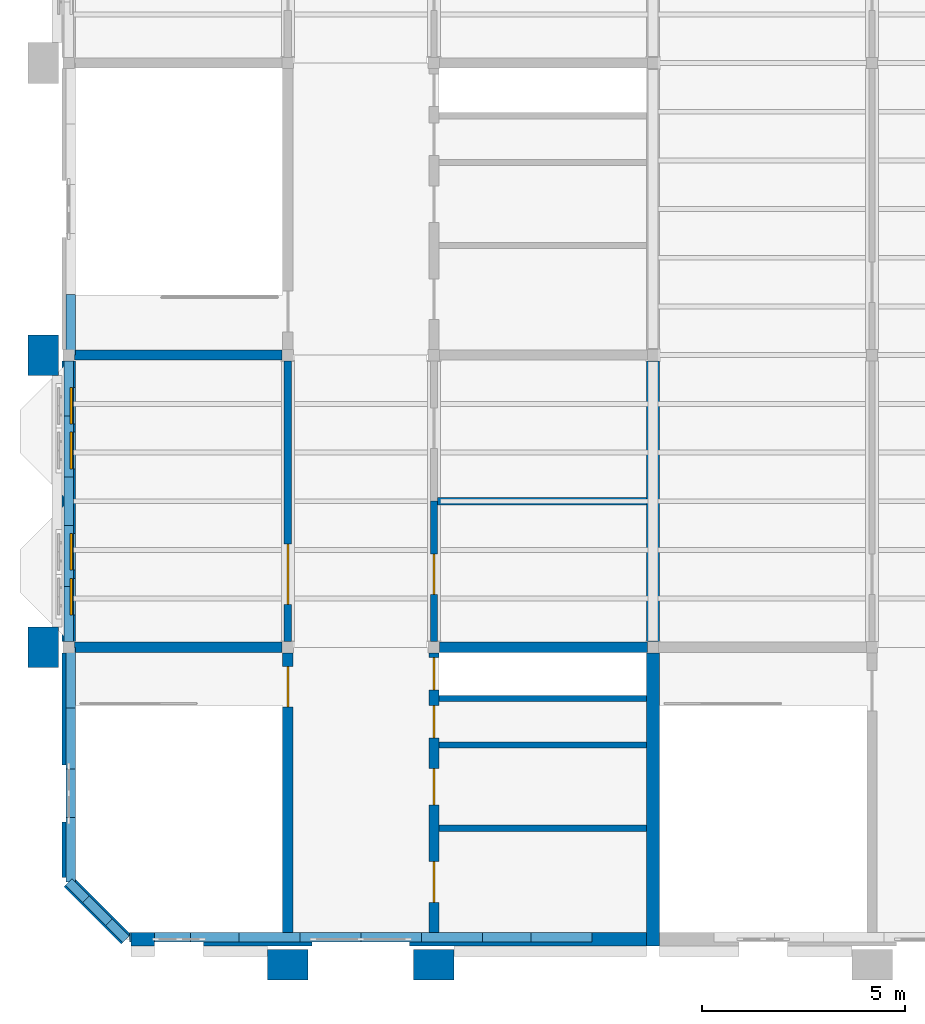
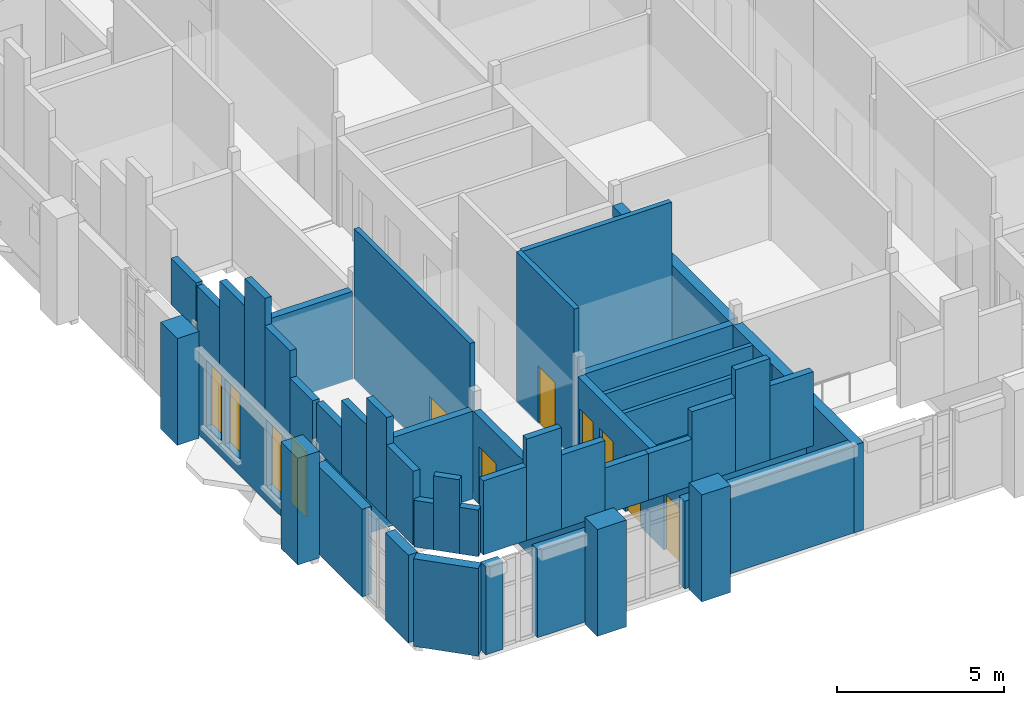
# One storey, part 32 of 51: 45 walls, 7 doors, 4 windows, 11 openings.
"""IFC4 building model written with IfcOpenShell, lengths in metres."""

from ifc_helpers import new_model, si_unit, direction, frame, frame_2d, origin, place, context, subcontext, project, spatial, rectangle, extrude, material, layer, layer_set, type_object, element, fill, save


model = new_model("IFC4")

# Units and contexts
model_context = context("Model", 3, precision=1e-05, world=origin(), true_north=direction((0.0, 1.0)))
body_context = subcontext(model_context, "Body", "Model", "MODEL_VIEW")
ifc_project = project(units=[si_unit("LENGTHUNIT", "METRE"), si_unit("AREAUNIT", "SQUARE_METRE"), si_unit("VOLUMEUNIT", "CUBIC_METRE"), si_unit("PLANEANGLEUNIT", "RADIAN"), si_unit("MASSUNIT", "GRAM", prefix="KILO")], contexts=[model_context])

# Site, building, storey
site_placement = place(None, origin())
site = spatial("IfcSite", under=ifc_project, at=site_placement, CompositionType="ELEMENT")
building_placement = place(site_placement, origin())
building = spatial("IfcBuilding", under=site, at=building_placement, Name="Mazhai Court Health Centre", CompositionType="ELEMENT")
storey_placement = place(building_placement, frame((0.0, 0.0, 14.10009765625)))
storey = spatial("IfcBuildingStorey", under=building, at=storey_placement, Name="L03", CompositionType="ELEMENT", Elevation=14.10009765625)

# Walls
ifc_material_1 = material(Name="Clay brick masonry", Category="masonry")
ifc_layer_1 = layer(ifc_material_1, 0.22998046875)
ifc_layer_set_1 = layer_set([ifc_layer_1], Name="BRICK PARAPET 230")
wall_type_1 = type_object("IfcWallType", Name="BRICK PARAPET 230", PredefinedType="SOLIDWALL", material=ifc_layer_set_1)
wall_1_placement = place(storey_placement, frame((6.25, 7.614013671875, 3.599853515625), z_axis=(0.0, 0.0, 1.0), x_axis=(0.0, 1.0, 0.0)))
element("IfcWall", 1, at=wall_1_placement, inside=storey, type_object=wall_type_1, Name="PR-V2-A2", PredefinedType="SOLIDWALL", context=body_context, shape_type="SweptSolid", body=[
    extrude(rectangle(XDim=1.5859375, YDim=0.22998046875, at=frame_2d((0.79296875, 0.0))), origin(), (0.0, 0.0, 1.0), 2.699951171875),
])
wall_2_placement = place(storey_placement, frame((6.25, 9.199951171875, 3.599853515625), z_axis=(0.0, 0.0, 1.0), x_axis=(0.0, 1.0, 0.0)))
element("IfcWall", 2, at=wall_2_placement, inside=storey, type_object=wall_type_1, Name="PR-V2-A3", PredefinedType="SOLIDWALL", context=body_context, shape_type="SweptSolid", body=[
    extrude(rectangle(XDim=1.199951171875, YDim=0.22998046875, at=frame_2d((0.60009765625, 0.0))), origin(), (0.0, 0.0, 1.0), 3.699951171875),
])
wall_3_placement = place(storey_placement, frame((6.25, 10.39990234375, 3.599853515625), z_axis=(0.0, 0.0, 1.0), x_axis=(0.0, 1.0, 0.0)))
element("IfcWall", 3, at=wall_3_placement, inside=storey, type_object=wall_type_1, Name="PR-V2-A4", PredefinedType="SOLIDWALL", context=body_context, shape_type="SweptSolid", body=[
    extrude(rectangle(XDim=1.5, YDim=0.22998046875, at=frame_2d((0.75, 0.0))), origin(), (0.0, 0.0, 1.0), 2.699951171875),
])
for number, where, z_axis, x_axis, name in (
    (4, (6.25, 11.89990234375, 3.599853515625), (0.0, 0.0, 1.0), (0.0, 1.0, 0.0), "PR-V2-A5"),
    (5, (6.25, 20.60009765625, 3.599853515625), (0.0, 0.0, 1.0), (0.0, 1.0, 0.0), "PR-V2-A11"),
):
    element("IfcWall", number, at=place(storey_placement, frame(where, z_axis=z_axis, x_axis=x_axis)), inside=storey, type_object=wall_type_1, Name=name, PredefinedType="SOLIDWALL", context=body_context, shape_type="SweptSolid", body=[
        extrude(rectangle(XDim=1.5, YDim=0.22998046875, at=frame_2d((0.75, 0.0))), origin(), (0.0, 0.0, 1.0), 1.699951171875),
    ])
wall_4_placement = place(storey_placement, frame((9.199951171875, 6.25, 3.599853515625), z_axis=(0.0, 0.0, 1.0), x_axis=(-1.0, 0.0, 0.0)))
element("IfcWall", 6, at=wall_4_placement, inside=storey, type_object=wall_type_1, Name="PR-V2-S2", PredefinedType="SOLIDWALL", context=body_context, shape_type="SweptSolid", body=[
    extrude(rectangle(XDim=1.5, YDim=0.22998046875, at=frame_2d((0.75, 0.0))), origin(), (0.0, 0.0, 1.0), 2.699951171875),
])
wall_5_placement = place(storey_placement, frame((10.39990234375, 6.25, 3.599853515625), z_axis=(0.0, 0.0, 1.0), x_axis=(-1.0, 0.0, 0.0)))
element("IfcWall", 7, at=wall_5_placement, inside=storey, type_object=wall_type_1, Name="PR-V2-S3", PredefinedType="SOLIDWALL", context=body_context, shape_type="SweptSolid", body=[
    extrude(rectangle(XDim=1.199951171875, YDim=0.22998046875, at=frame_2d((0.60009765625, 0.0))), origin(), (0.0, 0.0, 1.0), 3.699951171875),
])
wall_6_placement = place(storey_placement, frame((11.89990234375, 6.25, 3.599853515625), z_axis=(0.0, 0.0, 1.0), x_axis=(-1.0, 0.0, 0.0)))
element("IfcWall", 8, at=wall_6_placement, inside=storey, type_object=wall_type_1, Name="PR-V2-S4", PredefinedType="SOLIDWALL", context=body_context, shape_type="SweptSolid", body=[
    extrude(rectangle(XDim=1.5, YDim=0.22998046875, at=frame_2d((0.75, 0.0))), origin(), (0.0, 0.0, 1.0), 2.699951171875),
])
for number, where, z_axis, x_axis, name in (
    (9, (13.39990234375, 6.25, 3.599853515625), (0.0, 0.0, 1.0), (-1.0, 0.0, 0.0), "PR-V2-S5"),
    (10, (14.89990234375, 6.25, 3.599853515625), (0.0, 0.0, 1.0), (-1.0, 0.0, 0.0), "PR-V2-S6"),
):
    element("IfcWall", number, at=place(storey_placement, frame(where, z_axis=z_axis, x_axis=x_axis)), inside=storey, type_object=wall_type_1, Name=name, PredefinedType="SOLIDWALL", context=body_context, shape_type="SweptSolid", body=[
        extrude(rectangle(XDim=1.5, YDim=0.22998046875, at=frame_2d((0.75, 0.0))), origin(), (0.0, 0.0, 1.0), 1.699951171875),
    ])
wall_7_placement = place(storey_placement, frame((16.39990234375, 6.25, 3.599853515625), z_axis=(0.0, 0.0, 1.0), x_axis=(-1.0, 0.0, 0.0)))
element("IfcWall", 11, at=wall_7_placement, inside=storey, type_object=wall_type_1, Name="PR-V2-S7", PredefinedType="SOLIDWALL", context=body_context, shape_type="SweptSolid", body=[
    extrude(rectangle(XDim=1.5, YDim=0.22998046875, at=frame_2d((0.75, 0.0))), origin(), (0.0, 0.0, 1.0), 2.699951171875),
])
wall_8_placement = place(storey_placement, frame((17.60009765625, 6.25, 3.599853515625), z_axis=(0.0, 0.0, 1.0), x_axis=(-1.0, 0.0, 0.0)))
element("IfcWall", 12, at=wall_8_placement, inside=storey, type_object=wall_type_1, Name="PR-V2-S8", PredefinedType="SOLIDWALL", context=body_context, shape_type="SweptSolid", body=[
    extrude(rectangle(XDim=1.2001953125, YDim=0.22998046875, at=frame_2d((0.60009765625, 0.0))), origin(), (0.0, 0.0, 1.0), 3.699951171875),
])
wall_9_placement = place(storey_placement, frame((19.10009765625, 6.25, 3.599853515625), z_axis=(0.0, 0.0, 1.0), x_axis=(-1.0, 0.0, 0.0)))
element("IfcWall", 13, at=wall_9_placement, inside=storey, type_object=wall_type_1, Name="PR-V2-S9", PredefinedType="SOLIDWALL", context=body_context, shape_type="SweptSolid", body=[
    extrude(rectangle(XDim=1.5, YDim=0.22998046875, at=frame_2d((0.75, 0.0))), origin(), (0.0, 0.0, 1.0), 2.699951171875),
])
wall_10_placement = place(storey_placement, frame((6.199951171875, 7.614013671875, 3.599853515625), z_axis=(0.0, 0.0, 1.0), x_axis=(0.707106781187, -0.707106781187, 0.0)))
element("IfcWall", 14, at=wall_10_placement, inside=storey, type_object=wall_type_1, Name="PR-V2-CHA0", PredefinedType="SOLIDWALL", context=body_context, shape_type="SweptSolid", body=[
    extrude(rectangle(XDim=0.599609375, YDim=0.22998046875, at=frame_2d((0.2998046875, 0.0))), origin(), (0.0, 0.0, 1.0), 1.699951171875),
])
wall_11_placement = place(storey_placement, frame((6.6240234375, 7.18994140625, 3.599853515625), z_axis=(0.0, 0.0, 1.0), x_axis=(0.707106781187, -0.707106781187, 0.0)))
element("IfcWall", 15, at=wall_11_placement, inside=storey, type_object=wall_type_1, Name="PR-V2-CHA1", PredefinedType="SOLIDWALL", context=body_context, shape_type="SweptSolid", body=[
    extrude(rectangle(XDim=0.80029296875, YDim=0.22998046875, at=frame_2d((0.400146484375, 0.0))), origin(), (0.0, 0.0, 1.0), 2.699951171875),
])
wall_12_placement = place(storey_placement, frame((7.18994140625, 6.6240234375, 3.599853515625), z_axis=(0.0, 0.0, 1.0), x_axis=(0.707106781187, -0.707106781187, 0.0)))
element("IfcWall", 16, at=wall_12_placement, inside=storey, type_object=wall_type_1, Name="PR-V2-CHA2", PredefinedType="SOLIDWALL", context=body_context, shape_type="SweptSolid", body=[
    extrude(rectangle(XDim=0.599609375, YDim=0.22998046875, at=frame_2d((0.2998046875, 0.0))), origin(), (0.0, 0.0, 1.0), 1.699951171875),
])
wall_13_placement = place(storey_placement, frame((6.199951171875, 13.5400390625, 3.199951171875), z_axis=(0.0, 0.0, 1.0), x_axis=(0.0, 1.0, 0.0)))
element("IfcWall", 17, at=wall_13_placement, inside=storey, type_object=wall_type_1, Name="PR-V2-A6", PredefinedType="SOLIDWALL", context=body_context, shape_type="SweptSolid", body=[
    extrude(rectangle(XDim=1.35986328125, YDim=0.22998046875, at=frame_2d((0.679931640625, 0.0))), origin(), (0.0, 0.0, 1.0), 2.099853515625),
])
wall_14_placement = place(storey_placement, frame((6.199951171875, 14.89990234375, 3.199951171875), z_axis=(0.0, 0.0, 1.0), x_axis=(0.0, 1.0, 0.0)))
element("IfcWall", 18, at=wall_14_placement, inside=storey, type_object=wall_type_1, Name="PR-V2-A7", PredefinedType="SOLIDWALL", context=body_context, shape_type="SweptSolid", body=[
    extrude(rectangle(XDim=1.5, YDim=0.22998046875, at=frame_2d((0.75, 0.0))), origin(), (0.0, 0.0, 1.0), 3.099853515625),
])
wall_15_placement = place(storey_placement, frame((6.199951171875, 16.39990234375, 3.199951171875), z_axis=(0.0, 0.0, 1.0), x_axis=(0.0, 1.0, 0.0)))
element("IfcWall", 19, at=wall_15_placement, inside=storey, type_object=wall_type_1, Name="PR-V2-A8", PredefinedType="SOLIDWALL", context=body_context, shape_type="SweptSolid", body=[
    extrude(rectangle(XDim=1.2001953125, YDim=0.22998046875, at=frame_2d((0.60009765625, 0.0))), origin(), (0.0, 0.0, 1.0), 4.099853515625),
])
wall_16_placement = place(storey_placement, frame((6.199951171875, 17.60009765625, 3.199951171875), z_axis=(0.0, 0.0, 1.0), x_axis=(0.0, 1.0, 0.0)))
element("IfcWall", 20, at=wall_16_placement, inside=storey, type_object=wall_type_1, Name="PR-V2-A9", PredefinedType="SOLIDWALL", context=body_context, shape_type="SweptSolid", body=[
    extrude(rectangle(XDim=1.5, YDim=0.22998046875, at=frame_2d((0.75, 0.0))), origin(), (0.0, 0.0, 1.0), 3.099853515625),
])
wall_17_placement = place(storey_placement, frame((6.199951171875, 19.10009765625, 3.199951171875), z_axis=(0.0, 0.0, 1.0), x_axis=(0.0, 1.0, 0.0)))
element("IfcWall", 21, at=wall_17_placement, inside=storey, type_object=wall_type_1, Name="PR-V2-A10", PredefinedType="SOLIDWALL", context=body_context, shape_type="SweptSolid", body=[
    extrude(rectangle(XDim=1.35986328125, YDim=0.22998046875, at=frame_2d((0.679931640625, 0.0))), origin(), (0.0, 0.0, 1.0), 2.099853515625),
])
ifc_material_2 = material(Name="Clay brick masonry", Category="masonry")
ifc_layer_2 = layer(ifc_material_2, 0.75)
ifc_layer_set_2 = layer_set([ifc_layer_2], Name="BRICK PIER 750")
wall_type_2 = type_object("IfcWallType", Name="BRICK PIER 750", PredefinedType="SOLIDWALL", material=ifc_layer_set_2)
for number, where, z_axis, x_axis, name in (
    (22, (5.574951171875, 12.89990234375, 0.0), (0.0, 0.0, 1.0), (0.0, 1.0, 0.0), "EP-V2-L03-A1"),
    (23, (5.574951171875, 20.10009765625, 0.0), (0.0, 0.0, 1.0), (0.0, 1.0, 0.0), "EP-V2-L03-A2"),
    (24, (12.10009765625, 5.574951171875, 0.0), (0.0, 0.0, 1.0), (-1.0, 0.0, 0.0), "EP-V2-L03-S54"),
    (25, (15.699951171875, 5.574951171875, 0.0), (0.0, 0.0, 1.0), (-1.0, 0.0, 0.0), "EP-V2-L03-S90"),
):
    element("IfcWall", number, at=place(storey_placement, frame(where, z_axis=z_axis, x_axis=x_axis)), inside=storey, type_object=wall_type_2, Name=name, PredefinedType="SOLIDWALL", context=body_context, shape_type="SweptSolid", body=[
        extrude(rectangle(XDim=1.0, YDim=0.75, at=frame_2d((0.5, 0.0))), origin(), (0.0, 0.0, 1.0), 3.89990234375),
    ])
ifc_material_3 = material(Name="Clay brick masonry", Category="masonry")
ifc_layer_3 = layer(ifc_material_3, 0.330078125)
ifc_layer_set_3 = layer_set([ifc_layer_3], Name="BRICK WALL 330 EXTERNAL")
wall_type_3 = type_object("IfcWallType", Name="BRICK WALL 330 EXTERNAL", PredefinedType="SOLIDWALL", material=ifc_layer_set_3)
wall_18_placement = place(storey_placement, frame((6.199951171875, 7.73095703125, 0.0), z_axis=(0.0, 0.0, 1.0), x_axis=(0.0, 1.0, 0.0)))
element("IfcWall", 26, at=wall_18_placement, inside=storey, type_object=wall_type_3, Name="EW-V2-L03-A0a", PredefinedType="SOLIDWALL", context=body_context, shape_type="SweptSolid", body=[
    extrude(rectangle(XDim=1.369140625, YDim=0.330078125, at=frame_2d((0.6845703125, 0.0))), origin(), (0.0, 0.0, 1.0), 3.199951171875),
])
wall_19_placement = place(storey_placement, frame((6.199951171875, 10.5, 0.0), z_axis=(0.0, 0.0, 1.0), x_axis=(0.0, 1.0, 0.0)))
element("IfcWall", 27, at=wall_19_placement, inside=storey, type_object=wall_type_3, Name="EW-V2-L03-A0b", PredefinedType="SOLIDWALL", context=body_context, shape_type="SweptSolid", body=[
    extrude(rectangle(XDim=2.760009765625, YDim=0.330078125, at=frame_2d((1.3798828125, 0.0))), origin(), (0.0, 0.0, 1.0), 3.199951171875),
])

# Wall, openings, windows
wall_20_placement = place(storey_placement, frame((6.199951171875, 13.5400390625, 0.0), z_axis=(0.0, 0.0, 1.0), x_axis=(0.0, 1.0, 0.0)))
wall_20 = element("IfcWall", 28, at=wall_20_placement, inside=storey, type_object=wall_type_3, Name="EW-V2-L03-A1p0", PredefinedType="SOLIDWALL", context=body_context, shape_type="SweptSolid", body=[
    extrude(rectangle(XDim=6.919921875, YDim=0.330078125, at=frame_2d((3.4599609375, 0.0))), origin(), (0.0, 0.0, 1.0), 3.199951171875),
])
opening_1_placement = place(wall_20_placement, frame((0.659912109375, 0.0, 0.60009765625)))
opening_1 = element("IfcOpeningElement", 29, at=opening_1_placement, cuts=wall_20, Name="Opening W14", PredefinedType="OPENING", context=body_context, shape_type="SweptSolid", body=[
    extrude(rectangle(XDim=0.89990234375, YDim=2.39990234375, at=frame_2d((0.449951171875, 1.199951171875))), frame((0.0, 0.175048828125, 0.0), z_axis=(0.0, -1.0, 0.0), x_axis=(1.0, 0.0, 0.0)), (0.0, 0.0, 1.0), 0.35009765625),
])
opening_2_placement = place(wall_20_placement, frame((1.760009765625, 0.0, 0.60009765625)))
opening_2 = element("IfcOpeningElement", 30, at=opening_2_placement, cuts=wall_20, Name="Opening W14", PredefinedType="OPENING", context=body_context, shape_type="SweptSolid", body=[
    extrude(rectangle(XDim=0.89990234375, YDim=2.39990234375, at=frame_2d((0.449951171875, 1.199951171875))), frame((0.0, 0.175048828125, 0.0), z_axis=(0.0, -1.0, 0.0), x_axis=(1.0, 0.0, 0.0)), (0.0, 0.0, 1.0), 0.35009765625),
])
opening_3_placement = place(wall_20_placement, frame((4.260009765625, 0.0, 0.60009765625)))
opening_3 = element("IfcOpeningElement", 31, at=opening_3_placement, cuts=wall_20, Name="Opening W14", PredefinedType="OPENING", context=body_context, shape_type="SweptSolid", body=[
    extrude(rectangle(XDim=0.89990234375, YDim=2.39990234375, at=frame_2d((0.449951171875, 1.199951171875))), frame((0.0, 0.175048828125, 0.0), z_axis=(0.0, -1.0, 0.0), x_axis=(1.0, 0.0, 0.0)), (0.0, 0.0, 1.0), 0.35009765625),
])
opening_4_placement = place(wall_20_placement, frame((5.360107421875, 0.0, 0.60009765625)))
opening_4 = element("IfcOpeningElement", 32, at=opening_4_placement, cuts=wall_20, Name="Opening W14", PredefinedType="OPENING", context=body_context, shape_type="SweptSolid", body=[
    extrude(rectangle(XDim=0.89990234375, YDim=2.39990234375, at=frame_2d((0.449951171875, 1.199951171875))), frame((0.0, 0.175048828125, 0.0), z_axis=(0.0, -1.0, 0.0), x_axis=(1.0, 0.0, 0.0)), (0.0, 0.0, 1.0), 0.35009765625),
])
ifc_material_4 = material(Name="Teak timber frame, glazed", Category="wood")
window_type = type_object("IfcWindowType", Name="WINDOW TALL PAIRED 900x2400", PartitioningType="SINGLE_PANEL", PredefinedType="WINDOW", material=ifc_material_4)
window_1_placement = place(opening_1_placement, origin())
window_1 = element("IfcWindow", 33, at=window_1_placement, inside=storey, type_object=window_type, Name="W14 WN-V2-L03-A10a", OverallHeight=2.39990234375, OverallWidth=0.89990234375, PartitioningType="SINGLE_PANEL", PredefinedType="WINDOW", context=body_context, shape_type="SweptSolid", body=[
    extrude(rectangle(XDim=0.89990234375, YDim=2.39990234375, at=frame_2d((0.449951171875, 1.199951171875))), frame((0.0, -0.030029296875, 0.0), z_axis=(0.0, -1.0, 0.0), x_axis=(1.0, 0.0, 0.0)), (0.0, 0.0, 1.0), 0.06005859375),
])
fill(opening_1, window_1)
window_2_placement = place(opening_2_placement, origin())
window_2 = element("IfcWindow", 34, at=window_2_placement, inside=storey, type_object=window_type, Name="W14 WN-V2-L03-A10b", OverallHeight=2.39990234375, OverallWidth=0.89990234375, PartitioningType="SINGLE_PANEL", PredefinedType="WINDOW", context=body_context, shape_type="SweptSolid", body=[
    extrude(rectangle(XDim=0.89990234375, YDim=2.39990234375, at=frame_2d((0.449951171875, 1.199951171875))), frame((0.0, -0.030029296875, 0.0), z_axis=(0.0, -1.0, 0.0), x_axis=(1.0, 0.0, 0.0)), (0.0, 0.0, 1.0), 0.06005859375),
])
fill(opening_2, window_2)
window_3_placement = place(opening_3_placement, origin())
window_3 = element("IfcWindow", 35, at=window_3_placement, inside=storey, type_object=window_type, Name="W14 WN-V2-L03-A11a", OverallHeight=2.39990234375, OverallWidth=0.89990234375, PartitioningType="SINGLE_PANEL", PredefinedType="WINDOW", context=body_context, shape_type="SweptSolid", body=[
    extrude(rectangle(XDim=0.89990234375, YDim=2.39990234375, at=frame_2d((0.449951171875, 1.199951171875))), frame((0.0, -0.030029296875, 0.0), z_axis=(0.0, -1.0, 0.0), x_axis=(1.0, 0.0, 0.0)), (0.0, 0.0, 1.0), 0.06005859375),
])
fill(opening_3, window_3)
window_4_placement = place(opening_4_placement, origin())
window_4 = element("IfcWindow", 36, at=window_4_placement, inside=storey, type_object=window_type, Name="W14 WN-V2-L03-A11b", OverallHeight=2.39990234375, OverallWidth=0.89990234375, PartitioningType="SINGLE_PANEL", PredefinedType="WINDOW", context=body_context, shape_type="SweptSolid", body=[
    extrude(rectangle(XDim=0.89990234375, YDim=2.39990234375, at=frame_2d((0.449951171875, 1.199951171875))), frame((0.0, -0.030029296875, 0.0), z_axis=(0.0, -1.0, 0.0), x_axis=(1.0, 0.0, 0.0)), (0.0, 0.0, 1.0), 0.06005859375),
])
fill(opening_4, window_4)

# Walls
wall_21_placement = place(storey_placement, frame((8.320068359375, 6.199951171875, 0.0), z_axis=(0.0, 0.0, 1.0), x_axis=(-1.0, 0.0, 0.0)))
element("IfcWall", 37, at=wall_21_placement, inside=storey, type_object=wall_type_3, Name="EW-V2-L03-Sp0", PredefinedType="SOLIDWALL", context=body_context, shape_type="SweptSolid", body=[
    extrude(rectangle(XDim=0.589111328125, YDim=0.330078125, at=frame_2d((0.29443359375, 0.0))), origin(), (0.0, 0.0, 1.0), 3.199951171875),
])
wall_22_placement = place(storey_placement, frame((12.199951171875, 6.199951171875, 0.0), z_axis=(0.0, 0.0, 1.0), x_axis=(-1.0, 0.0, 0.0)))
element("IfcWall", 38, at=wall_22_placement, inside=storey, type_object=wall_type_3, Name="EW-V2-L03-Sp1", PredefinedType="SOLIDWALL", context=body_context, shape_type="SweptSolid", body=[
    extrude(rectangle(XDim=2.679931640625, YDim=0.330078125, at=frame_2d((1.33984375, 0.0))), origin(), (0.0, 0.0, 1.0), 3.199951171875),
])
wall_23_placement = place(storey_placement, frame((20.43505859375, 6.199951171875, 0.0), z_axis=(0.0, 0.0, 1.0), x_axis=(-1.0, 0.0, 0.0)))
element("IfcWall", 39, at=wall_23_placement, inside=storey, type_object=wall_type_3, Name="EW-V2-L03-Sp2", PredefinedType="SOLIDWALL", context=body_context, shape_type="SweptSolid", body=[
    extrude(rectangle(XDim=5.8349609375, YDim=0.330078125, at=frame_2d((2.91748046875, 0.0))), origin(), (0.0, 0.0, 1.0), 3.199951171875),
])
wall_24_placement = place(storey_placement, frame((6.199951171875, 7.614013671875, 0.0), z_axis=(0.0, 0.0, 1.0), x_axis=(0.707106781187, -0.707106781187, 0.0)))
element("IfcWall", 40, at=wall_24_placement, inside=storey, type_object=wall_type_3, Name="EW-V2-L03-CHA", PredefinedType="SOLIDWALL", context=body_context, shape_type="SweptSolid", body=[
    extrude(rectangle(XDim=1.999755859375, YDim=0.330078125, at=frame_2d((1.0, 0.0))), origin(), (0.0, 0.0, 1.0), 3.199951171875),
])
ifc_material_5 = material(Name="Clay brick masonry", Category="masonry")
ifc_layer_4 = layer(ifc_material_5, 0.330078125)
ifc_layer_set_4 = layer_set([ifc_layer_4], Name="BRICK WALL 330 INTERNAL")
wall_type_4 = type_object("IfcWallType", Name="BRICK WALL 330 INTERNAL", PredefinedType="SOLIDWALL", material=ifc_layer_set_4)
wall_25_placement = place(storey_placement, frame((20.60009765625, 13.260009765625, 0.0), z_axis=(0.0, 0.0, 1.0), x_axis=(0.0, -1.0, 0.0)))
element("IfcWall", 41, at=wall_25_placement, inside=storey, type_object=wall_type_4, Name="EW-V2-L03-B0", PredefinedType="SOLIDWALL", context=body_context, shape_type="SweptSolid", body=[
    extrude(rectangle(XDim=7.22509765625, YDim=0.330078125, at=frame_2d((3.612548828125, 0.0))), origin(), (0.0, 0.0, 1.0), 3.199951171875),
])
wall_26_placement = place(storey_placement, frame((20.60009765625, 20.4599609375, 0.0), z_axis=(0.0, 0.0, 1.0), x_axis=(0.0, -1.0, 0.0)))
element("IfcWall", 42, at=wall_26_placement, inside=storey, type_object=wall_type_4, Name="EW-V2-L03-B1", PredefinedType="SOLIDWALL", context=body_context, shape_type="SweptSolid", body=[
    extrude(rectangle(XDim=6.919921875, YDim=0.330078125, at=frame_2d((3.4599609375, 0.0))), origin(), (0.0, 0.0, 1.0), 3.199951171875),
])

# Wall, opening, door
ifc_material_6 = material(Name="Gypsum plasterboard partition")
ifc_layer_5 = layer(ifc_material_6, 0.175048828125)
ifc_layer_set_5 = layer_set([ifc_layer_5], Name="PARTITION 175 FIRE EI60")
wall_type_5 = type_object("IfcWallType", Name="PARTITION 175 FIRE EI60", PredefinedType="PARTITIONING", material=ifc_layer_set_5)
wall_27_placement = place(storey_placement, frame((11.60009765625, 13.5400390625, 0.0), z_axis=(0.0, 0.0, 1.0), x_axis=(0.0, 1.0, 0.0)))
wall_27 = element("IfcWall", 43, at=wall_27_placement, inside=storey, type_object=wall_type_5, Name="wall-V2-L03-A0-corr-0a", PredefinedType="PARTITIONING", context=body_context, shape_type="SweptSolid", body=[
    extrude(rectangle(XDim=6.919921875, YDim=0.175048828125, at=frame_2d((3.4599609375, 0.0))), origin(), (0.0, 0.0, 1.0), 5.485107421875),
])
opening_5_placement = place(wall_27_placement, frame((0.909912109375, 0.0, 0.0)))
opening_5 = element("IfcOpeningElement", 44, at=opening_5_placement, cuts=wall_27, Name="Opening D-L03-002", PredefinedType="OPENING", context=body_context, shape_type="SweptSolid", body=[
    extrude(rectangle(XDim=1.5, YDim=2.10009765625, at=frame_2d((0.75, 1.050048828125))), frame((0.0, 0.097412109375, 0.0), z_axis=(0.0, -1.0, 0.0), x_axis=(1.0, 0.0, 0.0)), (0.0, 0.0, 1.0), 0.195068359375),
])
ifc_material_7 = material(Name="Hardwood door leaf", Category="wood")
door_type_1 = type_object("IfcDoorType", Name="DOOR 1500x2100 FD60 DOUBLE", OperationType="NOTDEFINED", PredefinedType="DOOR", material=ifc_material_7)
door_1_placement = place(opening_5_placement, origin())
door_1 = element("IfcDoor", 45, at=door_1_placement, inside=storey, type_object=door_type_1, Name="door-V2-L03-A0-sterile-services-department", OperationType="DOUBLE_DOOR_SINGLE_SWING", OverallHeight=2.10009765625, OverallWidth=1.5, PredefinedType="DOOR", context=body_context, shape_type="SweptSolid", body=[
    extrude(rectangle(XDim=1.5, YDim=2.10009765625, at=frame_2d((0.75, 1.050048828125))), frame((0.0, 0.02490234375, 0.0), z_axis=(0.0, -1.0, 0.0), x_axis=(1.0, 0.0, 0.0)), (0.0, 0.0, 1.0), 0.050048828125),
])
fill(opening_5, door_1)

wall_28_placement = place(storey_placement, frame((15.199951171875, 13.5400390625, 0.0), z_axis=(0.0, 0.0, 1.0), x_axis=(0.0, 1.0, 0.0)))
wall_28 = element("IfcWall", 46, at=wall_28_placement, inside=storey, type_object=wall_type_5, Name="wall-V2-L03-B0-corr-0a", PredefinedType="PARTITIONING", context=body_context, shape_type="SweptSolid", body=[
    extrude(rectangle(XDim=3.4599609375, YDim=0.175048828125, at=frame_2d((1.72998046875, 0.0))), origin(), (0.0, 0.0, 1.0), 5.485107421875),
])
opening_6_placement = place(wall_28_placement, frame((1.159912109375, 0.0, 0.0)))
opening_6 = element("IfcOpeningElement", 47, at=opening_6_placement, cuts=wall_28, Name="Opening D-L03-011", PredefinedType="OPENING", context=body_context, shape_type="SweptSolid", body=[
    extrude(rectangle(XDim=1.0, YDim=2.10009765625, at=frame_2d((0.5, 1.050048828125))), frame((0.0, 0.097412109375, 0.0), z_axis=(0.0, -1.0, 0.0), x_axis=(1.0, 0.0, 0.0)), (0.0, 0.0, 1.0), 0.195068359375),
])
ifc_material_8 = material(Name="Hardwood door leaf", Category="wood")
door_type_2 = type_object("IfcDoorType", Name="DOOR 1000x2100 FD60 SINGLE", OperationType="NOTDEFINED", PredefinedType="DOOR", material=ifc_material_8)
door_2_placement = place(opening_6_placement, origin())
door_2 = element("IfcDoor", 48, at=door_2_placement, inside=storey, type_object=door_type_2, Name="door-V2-L03-B0-operating-suite-battery-room", OperationType="SINGLE_SWING_LEFT", OverallHeight=2.10009765625, OverallWidth=1.0, PredefinedType="DOOR", context=body_context, shape_type="SweptSolid", body=[
    extrude(rectangle(XDim=1.0, YDim=2.10009765625, at=frame_2d((0.5, 1.050048828125))), frame((0.0, 0.02490234375, 0.0), z_axis=(0.0, -1.0, 0.0), x_axis=(1.0, 0.0, 0.0)), (0.0, 0.0, 1.0), 0.050048828125),
])
fill(opening_6, door_2)

# Wall
wall_29_placement = place(storey_placement, frame((20.43505859375, 17.0, 0.0), z_axis=(0.0, 0.0, 1.0), x_axis=(-1.0, 0.0, 0.0)))
element("IfcWall", 49, at=wall_29_placement, inside=storey, type_object=wall_type_5, Name="wall-V2-L03-B0-cross-1a", PredefinedType="PARTITIONING", context=body_context, shape_type="SweptSolid", body=[
    extrude(rectangle(XDim=5.1474609375, YDim=0.175048828125, at=frame_2d((2.57373046875, 0.0))), origin(), (0.0, 0.0, 1.0), 5.485107421875),
])

# Wall, opening, door
ifc_material_9 = material(Name="Concrete M40", Category="concrete")
ifc_layer_6 = layer(ifc_material_9, 0.25)
ifc_layer_set_6 = layer_set([ifc_layer_6], Name="RC CORE WALL 250 M40")
wall_type_6 = type_object("IfcWallType", Name="RC CORE WALL 250 M40", PredefinedType="SHEAR", material=ifc_layer_set_6)
wall_30_placement = place(storey_placement, frame((11.60009765625, 6.364990234375, 0.0), z_axis=(0.0, 0.0, 1.0), x_axis=(0.0, 1.0, 0.0)))
wall_30 = element("IfcWall", 50, at=wall_30_placement, inside=storey, type_object=wall_type_6, Name="core-C1-w-stair-corr-L03", PredefinedType="SHEAR", context=body_context, shape_type="SweptSolid", body=[
    extrude(rectangle(XDim=6.89501953125, YDim=0.25, at=frame_2d((3.447509765625, 0.0))), origin(), (0.0, 0.0, 1.0), 3.199951171875),
])
opening_7_placement = place(wall_30_placement, frame((5.56005859375, 0.0, 0.0)))
opening_7 = element("IfcOpeningElement", 51, at=opening_7_placement, cuts=wall_30, Name="Opening D-L03-001", PredefinedType="OPENING", context=body_context, shape_type="SweptSolid", body=[
    extrude(rectangle(XDim=1.0, YDim=2.10009765625, at=frame_2d((0.5, 1.050048828125))), frame((0.0, 0.135009765625, 0.0), z_axis=(0.0, -1.0, 0.0), x_axis=(1.0, 0.0, 0.0)), (0.0, 0.0, 1.0), 0.27001953125),
])
ifc_material_10 = material(Name="Steel fire door leaf", Category="steel")
door_type_3 = type_object("IfcDoorType", Name="FD120S STAIR DOOR 1000x2100", OperationType="SINGLE_SWING_LEFT", PredefinedType="DOOR", material=ifc_material_10)
door_3_placement = place(opening_7_placement, origin())
door_3 = element("IfcDoor", 52, at=door_3_placement, inside=storey, type_object=door_type_3, Name="Stair 1 door L03", OperationType="SINGLE_SWING_LEFT", OverallHeight=2.10009765625, OverallWidth=1.0, PredefinedType="DOOR", context=body_context, shape_type="SweptSolid", body=[
    extrude(rectangle(XDim=1.0, YDim=2.10009765625, at=frame_2d((0.5, 1.050048828125))), frame((0.0, 0.02490234375, 0.0), z_axis=(0.0, -1.0, 0.0), x_axis=(1.0, 0.0, 0.0)), (0.0, 0.0, 1.0), 0.050048828125),
])
fill(opening_7, door_3)

# Wall
wall_31_placement = place(storey_placement, frame((6.340087890625, 13.39990234375, 0.0), z_axis=(0.0, 0.0, 1.0), x_axis=(1.0, 0.0, 0.0)))
element("IfcWall", 53, at=wall_31_placement, inside=storey, type_object=wall_type_6, Name="core-C1-w-stair-line0-L03", PredefinedType="SHEAR", context=body_context, shape_type="SweptSolid", body=[
    extrude(rectangle(XDim=5.119873046875, YDim=0.25, at=frame_2d((2.56005859375, 0.0))), origin(), (0.0, 0.0, 1.0), 3.199951171875),
])

# Wall, openings, doors
wall_32_placement = place(storey_placement, frame((15.199951171875, 6.364990234375, 0.0), z_axis=(0.0, 0.0, 1.0), x_axis=(0.0, 1.0, 0.0)))
wall_32 = element("IfcWall", 54, at=wall_32_placement, inside=storey, type_object=wall_type_6, Name="core-C1-w-other-corr-L03", PredefinedType="SHEAR", context=body_context, shape_type="SweptSolid", body=[
    extrude(rectangle(XDim=6.89501953125, YDim=0.25, at=frame_2d((3.447509765625, 0.0))), origin(), (0.0, 0.0, 1.0), 3.199951171875),
])
opening_8_placement = place(wall_32_placement, frame((0.75, 0.0, 0.0)))
opening_8 = element("IfcOpeningElement", 55, at=opening_8_placement, cuts=wall_32, Name="Opening D-L03-007", PredefinedType="OPENING", context=body_context, shape_type="SweptSolid", body=[
    extrude(rectangle(XDim=1.0, YDim=2.10009765625, at=frame_2d((0.5, 1.050048828125))), frame((0.0, 0.135009765625, 0.0), z_axis=(0.0, -1.0, 0.0), x_axis=(1.0, 0.0, 0.0)), (0.0, 0.0, 1.0), 0.27001953125),
])
opening_9_placement = place(wall_32_placement, frame((3.14990234375, 0.0, 0.0)))
opening_9 = element("IfcOpeningElement", 56, at=opening_9_placement, cuts=wall_32, Name="Opening D-L03-008", PredefinedType="OPENING", context=body_context, shape_type="SweptSolid", body=[
    extrude(rectangle(XDim=0.89990234375, YDim=2.10009765625, at=frame_2d((0.449951171875, 1.050048828125))), frame((0.0, 0.135009765625, 0.0), z_axis=(0.0, -1.0, 0.0), x_axis=(1.0, 0.0, 0.0)), (0.0, 0.0, 1.0), 0.27001953125),
])
opening_10_placement = place(wall_32_placement, frame((4.800048828125, 0.0, 0.0)))
opening_10 = element("IfcOpeningElement", 57, at=opening_10_placement, cuts=wall_32, Name="Opening D-L03-009", PredefinedType="OPENING", context=body_context, shape_type="SweptSolid", body=[
    extrude(rectangle(XDim=0.800048828125, YDim=2.10009765625, at=frame_2d((0.39990234375, 1.050048828125))), frame((0.0, 0.135009765625, 0.0), z_axis=(0.0, -1.0, 0.0), x_axis=(1.0, 0.0, 0.0)), (0.0, 0.0, 1.0), 0.27001953125),
])
opening_11_placement = place(wall_32_placement, frame((5.97998046875, 0.0, 0.0)))
opening_11 = element("IfcOpeningElement", 58, at=opening_11_placement, cuts=wall_32, Name="Opening D-L03-010", PredefinedType="OPENING", context=body_context, shape_type="SweptSolid", body=[
    extrude(rectangle(XDim=0.800048828125, YDim=2.10009765625, at=frame_2d((0.39990234375, 1.050048828125))), frame((0.0, 0.135009765625, 0.0), z_axis=(0.0, -1.0, 0.0), x_axis=(1.0, 0.0, 0.0)), (0.0, 0.0, 1.0), 0.27001953125),
])
ifc_material_11 = material(Name="Timber door leaf", Category="wood")
door_type_4 = type_object("IfcDoorType", Name="ACCESSIBLE WC DOOR 1000x2100", OperationType="SINGLE_SWING_RIGHT", PredefinedType="DOOR", material=ifc_material_11)
door_4_placement = place(opening_8_placement, origin())
door_4 = element("IfcDoor", 59, at=door_4_placement, inside=storey, type_object=door_type_4, Name="Accessible WC door L03", OperationType="SINGLE_SWING_LEFT", OverallHeight=2.10009765625, OverallWidth=1.0, PredefinedType="DOOR", context=body_context, shape_type="SweptSolid", body=[
    extrude(rectangle(XDim=1.0, YDim=2.10009765625, at=frame_2d((0.5, 1.050048828125))), frame((0.0, 0.02490234375, 0.0), z_axis=(0.0, -1.0, 0.0), x_axis=(1.0, 0.0, 0.0)), (0.0, 0.0, 1.0), 0.050048828125),
])
fill(opening_8, door_4)
ifc_material_12 = material(Name="Timber door leaf", Category="wood")
door_type_5 = type_object("IfcDoorType", Name="CLEANER STORE DOOR 800x2100", OperationType="SINGLE_SWING_LEFT", PredefinedType="DOOR", material=ifc_material_12)
door_5_placement = place(opening_10_placement, origin())
door_5 = element("IfcDoor", 60, at=door_5_placement, inside=storey, type_object=door_type_5, Name="Cleaner door L03", OperationType="SINGLE_SWING_LEFT", OverallHeight=2.10009765625, OverallWidth=0.800048828125, PredefinedType="DOOR", context=body_context, shape_type="SweptSolid", body=[
    extrude(rectangle(XDim=0.800048828125, YDim=2.10009765625, at=frame_2d((0.39990234375, 1.050048828125))), frame((0.0, 0.02490234375, 0.0), z_axis=(0.0, -1.0, 0.0), x_axis=(1.0, 0.0, 0.0)), (0.0, 0.0, 1.0), 0.050048828125),
])
fill(opening_10, door_5)
ifc_material_13 = material(Name="Steel fire door leaf", Category="steel")
door_type_6 = type_object("IfcDoorType", Name="FD60S RISER DOOR 800x2100", OperationType="SINGLE_SWING_LEFT", PredefinedType="DOOR", material=ifc_material_13)
door_6_placement = place(opening_11_placement, origin())
door_6 = element("IfcDoor", 61, at=door_6_placement, inside=storey, type_object=door_type_6, Name="Riser door L03", OperationType="SINGLE_SWING_LEFT", OverallHeight=2.10009765625, OverallWidth=0.800048828125, PredefinedType="DOOR", context=body_context, shape_type="SweptSolid", body=[
    extrude(rectangle(XDim=0.800048828125, YDim=2.10009765625, at=frame_2d((0.39990234375, 1.050048828125))), frame((0.0, 0.02490234375, 0.0), z_axis=(0.0, -1.0, 0.0), x_axis=(1.0, 0.0, 0.0)), (0.0, 0.0, 1.0), 0.050048828125),
])
fill(opening_11, door_6)
ifc_material_14 = material(Name="Timber door leaf", Category="wood")
door_type_7 = type_object("IfcDoorType", Name="WC DOOR 900x2100", OperationType="SINGLE_SWING_LEFT", PredefinedType="DOOR", material=ifc_material_14)
door_7_placement = place(opening_9_placement, origin())
door_7 = element("IfcDoor", 62, at=door_7_placement, inside=storey, type_object=door_type_7, Name="WC door L03", OperationType="SINGLE_SWING_LEFT", OverallHeight=2.10009765625, OverallWidth=0.89990234375, PredefinedType="DOOR", context=body_context, shape_type="SweptSolid", body=[
    extrude(rectangle(XDim=0.89990234375, YDim=2.10009765625, at=frame_2d((0.449951171875, 1.050048828125))), frame((0.0, 0.02490234375, 0.0), z_axis=(0.0, -1.0, 0.0), x_axis=(1.0, 0.0, 0.0)), (0.0, 0.0, 1.0), 0.050048828125),
])
fill(opening_9, door_7)

# Walls
for number, where, z_axis, x_axis, name in (
    (63, (15.340087890625, 13.39990234375, 0.0), (0.0, 0.0, 1.0), (1.0, 0.0, 0.0), "core-C1-w-other-line0-L03"),
    (64, (6.340087890625, 20.60009765625, 0.0), (0.0, 0.0, 1.0), (1.0, 0.0, 0.0), "core-C2-w-stair-line0-L03"),
):
    element("IfcWall", number, at=place(storey_placement, frame(where, z_axis=z_axis, x_axis=x_axis)), inside=storey, type_object=wall_type_6, Name=name, PredefinedType="SHEAR", context=body_context, shape_type="SweptSolid", body=[
        extrude(rectangle(XDim=5.119873046875, YDim=0.25, at=frame_2d((2.56005859375, 0.0))), origin(), (0.0, 0.0, 1.0), 3.199951171875),
    ])
ifc_material_15 = material(Name="Concrete M25", Category="concrete")
ifc_layer_7 = layer(ifc_material_15, 0.14990234375)
ifc_layer_set_7 = layer_set([ifc_layer_7], Name="RC SERVICE ROOM WALL 150 M25")
wall_type_7 = type_object("IfcWallType", Name="RC SERVICE ROOM WALL 150 M25", PredefinedType="PARTITIONING", material=ifc_layer_set_7)
for number, where, z_axis, x_axis, name in (
    (65, (15.324951171875, 8.93994140625, 0.0), (0.0, 0.0, 1.0), (1.0, 0.0, 0.0), "core-C1-w-room0-L03"),
    (66, (15.324951171875, 10.989990234375, 0.0), (0.0, 0.0, 1.0), (1.0, 0.0, 0.0), "core-C1-w-room1-L03"),
    (67, (15.324951171875, 12.139892578125, 0.0), (0.0, 0.0, 1.0), (1.0, 0.0, 0.0), "core-C1-w-room2-L03"),
):
    element("IfcWall", number, at=place(storey_placement, frame(where, z_axis=z_axis, x_axis=x_axis)), inside=storey, type_object=wall_type_7, Name=name, PredefinedType="PARTITIONING", context=body_context, shape_type="SweptSolid", body=[
        extrude(rectangle(XDim=5.110107421875, YDim=0.14990234375, at=frame_2d((2.55517578125, 0.0))), origin(), (0.0, 0.0, 1.0), 3.199951171875),
    ])

save(model, "model.ifc")
